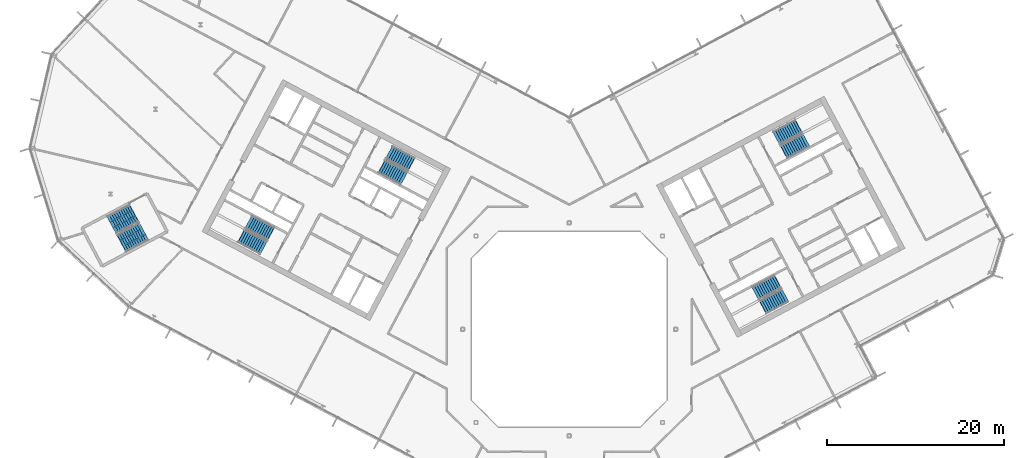
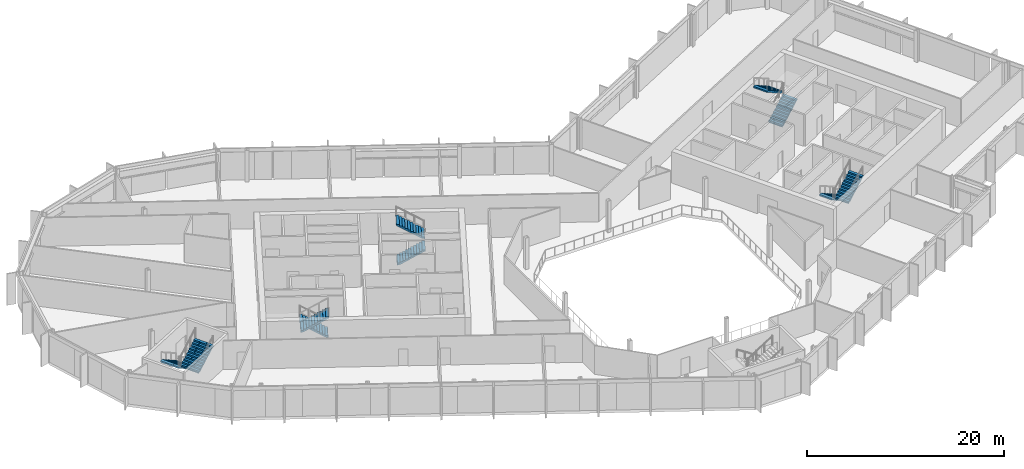
# One storey, part 18 of 27: 10 stair flights, 5 elements without a shape of their own.
"""IFC4 building model written with IfcOpenShell, lengths in metres."""

from ifc_helpers import new_model, si_unit, direction, frame, origin, place, context, subcontext, project, spatial, polyline, outline, extrude, material, type_object, element, aggregate, save


model = new_model("IFC4")

# Units and contexts
model_context = context("Model", 3, precision=1e-05, world=origin(), true_north=direction((0.0, 1.0)))
body_context = subcontext(model_context, "Body", "Model", "MODEL_VIEW")
ifc_project = project(units=[si_unit("LENGTHUNIT", "METRE"), si_unit("AREAUNIT", "SQUARE_METRE"), si_unit("VOLUMEUNIT", "CUBIC_METRE"), si_unit("PLANEANGLEUNIT", "RADIAN"), si_unit("MASSUNIT", "GRAM", prefix="KILO")], contexts=[model_context])

# Site, building, storey
site_placement = place(None, origin())
site = spatial("IfcSite", under=ifc_project, at=site_placement, CompositionType="ELEMENT")
building_placement = place(site_placement, origin())
building = spatial("IfcBuilding", under=site, at=building_placement, Name="Cormorant Relay Tower", CompositionType="ELEMENT")
storey_placement = place(building_placement, frame((0.0, 0.0, 209.10009765625)))
storey = spatial("IfcBuildingStorey", under=building, at=storey_placement, Name="L45", CompositionType="ELEMENT", Elevation=209.10009765625)

# Stair, stair flights
ifc_material_1 = material(Name="Concrete 40 MPa", Category="concrete")
stair_type_1 = type_object("IfcStairType", Name="Exit stair 1500", PredefinedType="HALF_TURN_STAIR", material=ifc_material_1)
stair_1_placement = place(storey_placement, origin())
stair_1 = element("IfcStair", 1, at=stair_1_placement, inside=storey, type_object=stair_type_1, Name="L45 Stair", PredefinedType="HALF_TURN_STAIR")
ifc_material_2 = material(Name="Concrete 40 MPa", Category="concrete")
stair_flight_type_1 = type_object("IfcStairFlightType", Name="Exit stair flight 1650", PredefinedType="STRAIGHT", material=ifc_material_2)
stair_flight_1_placement = place(storey_placement, frame((-21.114501953125, 18.33349609375, 0.0), z_axis=(0.0, 0.0, 1.0), x_axis=(0.882947592859, -0.469471562786, 0.0)))
stair_flight_1 = element("IfcStairFlight", 2, at=stair_flight_1_placement, type_object=stair_flight_type_1, Name="A1 flight 1", NumberOfRisers=11, NumberOfTreads=10, PredefinedType="STRAIGHT", RiserHeight=0.177272727, TreadLength=0.28, context=body_context, shape_type="SweptSolid", body=[
    extrude(outline(polyline([(-0.050048828125, -0.080078125), (-0.050048828125, 0.0), (0.0, 0.0), (0.0, 0.17724609375), (0.280029296875, 0.17724609375), (0.280029296875, 0.3544921875), (0.56005859375, 0.3544921875), (0.56005859375, 0.53173828125), (0.840087890625, 0.53173828125), (0.840087890625, 0.708984375), (1.1201171875, 0.708984375), (1.1201171875, 0.886474609375), (1.39990234375, 0.886474609375), (1.39990234375, 1.063720703125), (1.679931640625, 1.063720703125), (1.679931640625, 1.240966796875), (1.9599609375, 1.240966796875), (1.9599609375, 1.418212890625), (2.239990234375, 1.418212890625), (2.239990234375, 1.595458984375), (2.52001953125, 1.595458984375), (2.52001953125, 1.772705078125), (2.800048828125, 1.772705078125), (2.85009765625, 1.772705078125), (2.85009765625, 1.59521484375), (2.800048828125, 1.59521484375), (0.2802734375, 0.0), (-0.050048828125, -0.080078125)])), frame((0.0, 0.824951171875, 0.0), z_axis=(0.0, -1.0, 0.0), x_axis=(1.0, 0.0, 0.0)), (0.0, 0.0, 1.0), 1.64990234375),
])
stair_flight_2_placement = place(storey_placement, frame((-17.797119140625, 18.6083984375, 1.949951171875), z_axis=(0.0, 0.0, 1.0), x_axis=(-0.882947592859, 0.469471562786, 0.0)))
stair_flight_2 = element("IfcStairFlight", 3, at=stair_flight_2_placement, type_object=stair_flight_type_1, Name="A1 flight 2", NumberOfRisers=11, NumberOfTreads=10, PredefinedType="STRAIGHT", RiserHeight=0.177272727, TreadLength=0.28, context=body_context, shape_type="SweptSolid", body=[
    extrude(outline(polyline([(-0.050048828125, -0.080078125), (-0.050048828125, 0.0), (0.0, 0.0), (0.0, 0.17724609375), (0.280029296875, 0.17724609375), (0.280029296875, 0.3544921875), (0.56005859375, 0.3544921875), (0.56005859375, 0.53173828125), (0.840087890625, 0.53173828125), (0.840087890625, 0.708984375), (1.1201171875, 0.708984375), (1.1201171875, 0.886474609375), (1.39990234375, 0.886474609375), (1.39990234375, 1.063720703125), (1.679931640625, 1.063720703125), (1.679931640625, 1.240966796875), (1.9599609375, 1.240966796875), (1.9599609375, 1.418212890625), (2.239990234375, 1.418212890625), (2.239990234375, 1.595458984375), (2.52001953125, 1.595458984375), (2.52001953125, 1.772705078125), (2.800048828125, 1.772705078125), (2.85009765625, 1.772705078125), (2.85009765625, 1.59521484375), (2.800048828125, 1.59521484375), (0.2802734375, 0.0), (-0.050048828125, -0.080078125)])), frame((0.0, 0.824951171875, 0.0), z_axis=(0.0, -1.0, 0.0), x_axis=(1.0, 0.0, 0.0)), (0.0, 0.0, 1.0), 1.64990234375),
])
aggregate(stair_1, [stair_flight_1, stair_flight_2])

stair_2_placement = place(storey_placement, origin())
stair_2 = element("IfcStair", 4, at=stair_2_placement, inside=storey, type_object=stair_type_1, Name="L45 Stair", PredefinedType="HALF_TURN_STAIR")
stair_flight_3_placement = place(storey_placement, frame((-33.62841796875, 10.773681640625, 0.0), z_axis=(0.0, 0.0, 1.0), x_axis=(-0.882947592859, 0.469471562786, 0.0)))
stair_flight_3 = element("IfcStairFlight", 5, at=stair_flight_3_placement, type_object=stair_flight_type_1, Name="A2 flight 1", NumberOfRisers=11, NumberOfTreads=10, PredefinedType="STRAIGHT", RiserHeight=0.177272727, TreadLength=0.28, context=body_context, shape_type="SweptSolid", body=[
    extrude(outline(polyline([(-0.050048828125, -0.080078125), (-0.050048828125, 0.0), (0.0, 0.0), (0.0, 0.17724609375), (0.280029296875, 0.17724609375), (0.280029296875, 0.3544921875), (0.56005859375, 0.3544921875), (0.56005859375, 0.53173828125), (0.840087890625, 0.53173828125), (0.840087890625, 0.708984375), (1.1201171875, 0.708984375), (1.1201171875, 0.886474609375), (1.39990234375, 0.886474609375), (1.39990234375, 1.063720703125), (1.679931640625, 1.063720703125), (1.679931640625, 1.240966796875), (1.9599609375, 1.240966796875), (1.9599609375, 1.418212890625), (2.239990234375, 1.418212890625), (2.239990234375, 1.595458984375), (2.52001953125, 1.595458984375), (2.52001953125, 1.772705078125), (2.800048828125, 1.772705078125), (2.85009765625, 1.772705078125), (2.85009765625, 1.59521484375), (2.800048828125, 1.59521484375), (0.2802734375, 0.0), (-0.050048828125, -0.080078125)])), frame((0.0, 0.824951171875, 0.0), z_axis=(0.0, -1.0, 0.0), x_axis=(1.0, 0.0, 0.0)), (0.0, 0.0, 1.0), 1.64990234375),
])
stair_flight_4_placement = place(storey_placement, frame((-36.945556640625, 10.498779296875, 1.949951171875), z_axis=(0.0, 0.0, 1.0), x_axis=(0.882947592859, -0.469471562786, 0.0)))
stair_flight_4 = element("IfcStairFlight", 6, at=stair_flight_4_placement, type_object=stair_flight_type_1, Name="A2 flight 2", NumberOfRisers=11, NumberOfTreads=10, PredefinedType="STRAIGHT", RiserHeight=0.177272727, TreadLength=0.28, context=body_context, shape_type="SweptSolid", body=[
    extrude(outline(polyline([(-0.050048828125, -0.080078125), (-0.050048828125, 0.0), (0.0, 0.0), (0.0, 0.17724609375), (0.280029296875, 0.17724609375), (0.280029296875, 0.3544921875), (0.56005859375, 0.3544921875), (0.56005859375, 0.53173828125), (0.840087890625, 0.53173828125), (0.840087890625, 0.708984375), (1.1201171875, 0.708984375), (1.1201171875, 0.886474609375), (1.39990234375, 0.886474609375), (1.39990234375, 1.063720703125), (1.679931640625, 1.063720703125), (1.679931640625, 1.240966796875), (1.9599609375, 1.240966796875), (1.9599609375, 1.418212890625), (2.239990234375, 1.418212890625), (2.239990234375, 1.595458984375), (2.52001953125, 1.595458984375), (2.52001953125, 1.772705078125), (2.800048828125, 1.772705078125), (2.85009765625, 1.772705078125), (2.85009765625, 1.59521484375), (2.800048828125, 1.59521484375), (0.2802734375, 0.0), (-0.050048828125, -0.080078125)])), frame((0.0, 0.824951171875, 0.0), z_axis=(0.0, -1.0, 0.0), x_axis=(1.0, 0.0, 0.0)), (0.0, 0.0, 1.0), 1.64990234375),
])
aggregate(stair_2, [stair_flight_3, stair_flight_4])

stair_3_placement = place(storey_placement, origin())
stair_3 = element("IfcStair", 7, at=stair_3_placement, inside=storey, type_object=stair_type_1, Name="L45 Stair", PredefinedType="HALF_TURN_STAIR")
stair_flight_5_placement = place(storey_placement, frame((23.474365234375, 5.374755859375, 0.0), z_axis=(0.0, 0.0, 1.0), x_axis=(-0.882947592859, -0.469471562786, 0.0)))
stair_flight_5 = element("IfcStairFlight", 8, at=stair_flight_5_placement, type_object=stair_flight_type_1, Name="B1 flight 1", NumberOfRisers=11, NumberOfTreads=10, PredefinedType="STRAIGHT", RiserHeight=0.177272727, TreadLength=0.28, context=body_context, shape_type="SweptSolid", body=[
    extrude(outline(polyline([(-0.050048828125, -0.080078125), (-0.050048828125, 0.0), (0.0, 0.0), (0.0, 0.17724609375), (0.280029296875, 0.17724609375), (0.280029296875, 0.3544921875), (0.56005859375, 0.3544921875), (0.56005859375, 0.53173828125), (0.840087890625, 0.53173828125), (0.840087890625, 0.708984375), (1.1201171875, 0.708984375), (1.1201171875, 0.886474609375), (1.39990234375, 0.886474609375), (1.39990234375, 1.063720703125), (1.679931640625, 1.063720703125), (1.679931640625, 1.240966796875), (1.9599609375, 1.240966796875), (1.9599609375, 1.418212890625), (2.239990234375, 1.418212890625), (2.239990234375, 1.595458984375), (2.52001953125, 1.595458984375), (2.52001953125, 1.772705078125), (2.800048828125, 1.772705078125), (2.85009765625, 1.772705078125), (2.85009765625, 1.59521484375), (2.800048828125, 1.59521484375), (0.2802734375, 0.0), (-0.050048828125, -0.080078125)])), frame((0.0, 0.824951171875, 0.0), z_axis=(0.0, -1.0, 0.0), x_axis=(1.0, 0.0, 0.0)), (0.0, 0.0, 1.0), 1.64990234375),
])
stair_flight_6_placement = place(storey_placement, frame((21.84716796875, 2.470947265625, 1.949951171875), z_axis=(0.0, 0.0, 1.0), x_axis=(0.882947592859, 0.469471562786, 0.0)))
stair_flight_6 = element("IfcStairFlight", 9, at=stair_flight_6_placement, type_object=stair_flight_type_1, Name="B1 flight 2", NumberOfRisers=11, NumberOfTreads=10, PredefinedType="STRAIGHT", RiserHeight=0.177272727, TreadLength=0.28, context=body_context, shape_type="SweptSolid", body=[
    extrude(outline(polyline([(-0.050048828125, -0.080078125), (-0.050048828125, 0.0), (0.0, 0.0), (0.0, 0.17724609375), (0.280029296875, 0.17724609375), (0.280029296875, 0.3544921875), (0.56005859375, 0.3544921875), (0.56005859375, 0.53173828125), (0.840087890625, 0.53173828125), (0.840087890625, 0.708984375), (1.1201171875, 0.708984375), (1.1201171875, 0.886474609375), (1.39990234375, 0.886474609375), (1.39990234375, 1.063720703125), (1.679931640625, 1.063720703125), (1.679931640625, 1.240966796875), (1.9599609375, 1.240966796875), (1.9599609375, 1.418212890625), (2.239990234375, 1.418212890625), (2.239990234375, 1.595458984375), (2.52001953125, 1.595458984375), (2.52001953125, 1.772705078125), (2.800048828125, 1.772705078125), (2.85009765625, 1.772705078125), (2.85009765625, 1.59521484375), (2.800048828125, 1.59521484375), (0.2802734375, 0.0), (-0.050048828125, -0.080078125)])), frame((0.0, 0.824951171875, 0.0), z_axis=(0.0, -1.0, 0.0), x_axis=(1.0, 0.0, 0.0)), (0.0, 0.0, 1.0), 1.64990234375),
])
aggregate(stair_3, [stair_flight_5, stair_flight_6])

stair_4_placement = place(storey_placement, origin())
stair_4 = element("IfcStair", 10, at=stair_4_placement, inside=storey, type_object=stair_type_1, Name="L45 Stair", PredefinedType="HALF_TURN_STAIR")
stair_flight_7_placement = place(storey_placement, frame((24.20458984375, 19.976806640625, 0.0), z_axis=(0.0, 0.0, 1.0), x_axis=(0.882947592859, 0.469471562786, 0.0)))
stair_flight_7 = element("IfcStairFlight", 11, at=stair_flight_7_placement, type_object=stair_flight_type_1, Name="B2 flight 1", NumberOfRisers=11, NumberOfTreads=10, PredefinedType="STRAIGHT", RiserHeight=0.177272727, TreadLength=0.28, context=body_context, shape_type="SweptSolid", body=[
    extrude(outline(polyline([(-0.050048828125, -0.080078125), (-0.050048828125, 0.0), (0.0, 0.0), (0.0, 0.17724609375), (0.280029296875, 0.17724609375), (0.280029296875, 0.3544921875), (0.56005859375, 0.3544921875), (0.56005859375, 0.53173828125), (0.840087890625, 0.53173828125), (0.840087890625, 0.708984375), (1.1201171875, 0.708984375), (1.1201171875, 0.886474609375), (1.39990234375, 0.886474609375), (1.39990234375, 1.063720703125), (1.679931640625, 1.063720703125), (1.679931640625, 1.240966796875), (1.9599609375, 1.240966796875), (1.9599609375, 1.418212890625), (2.239990234375, 1.418212890625), (2.239990234375, 1.595458984375), (2.52001953125, 1.595458984375), (2.52001953125, 1.772705078125), (2.800048828125, 1.772705078125), (2.85009765625, 1.772705078125), (2.85009765625, 1.59521484375), (2.800048828125, 1.59521484375), (0.2802734375, 0.0), (-0.050048828125, -0.080078125)])), frame((0.0, 0.824951171875, 0.0), z_axis=(0.0, -1.0, 0.0), x_axis=(1.0, 0.0, 0.0)), (0.0, 0.0, 1.0), 1.64990234375),
])
stair_flight_8_placement = place(storey_placement, frame((25.831787109375, 22.880615234375, 1.949951171875), z_axis=(0.0, 0.0, 1.0), x_axis=(-0.882947592859, -0.469471562786, 0.0)))
stair_flight_8 = element("IfcStairFlight", 12, at=stair_flight_8_placement, type_object=stair_flight_type_1, Name="B2 flight 2", NumberOfRisers=11, NumberOfTreads=10, PredefinedType="STRAIGHT", RiserHeight=0.177272727, TreadLength=0.28, context=body_context, shape_type="SweptSolid", body=[
    extrude(outline(polyline([(-0.050048828125, -0.080078125), (-0.050048828125, 0.0), (0.0, 0.0), (0.0, 0.17724609375), (0.280029296875, 0.17724609375), (0.280029296875, 0.3544921875), (0.56005859375, 0.3544921875), (0.56005859375, 0.53173828125), (0.840087890625, 0.53173828125), (0.840087890625, 0.708984375), (1.1201171875, 0.708984375), (1.1201171875, 0.886474609375), (1.39990234375, 0.886474609375), (1.39990234375, 1.063720703125), (1.679931640625, 1.063720703125), (1.679931640625, 1.240966796875), (1.9599609375, 1.240966796875), (1.9599609375, 1.418212890625), (2.239990234375, 1.418212890625), (2.239990234375, 1.595458984375), (2.52001953125, 1.595458984375), (2.52001953125, 1.772705078125), (2.800048828125, 1.772705078125), (2.85009765625, 1.772705078125), (2.85009765625, 1.59521484375), (2.800048828125, 1.59521484375), (0.2802734375, 0.0), (-0.050048828125, -0.080078125)])), frame((0.0, 0.824951171875, 0.0), z_axis=(0.0, -1.0, 0.0), x_axis=(1.0, 0.0, 0.0)), (0.0, 0.0, 1.0), 1.64990234375),
])
aggregate(stair_4, [stair_flight_7, stair_flight_8])

ifc_material_3 = material(Name="Concrete 40 MPa", Category="concrete")
stair_type_2 = type_object("IfcStairType", Name="Remote exit stair 2200", PredefinedType="HALF_TURN_STAIR", material=ifc_material_3)
stair_5_placement = place(storey_placement, origin())
stair_5 = element("IfcStair", 13, at=stair_5_placement, inside=storey, type_object=stair_type_2, Name="L45 Stair", PredefinedType="HALF_TURN_STAIR")
ifc_material_4 = material(Name="Concrete 40 MPa", Category="concrete")
stair_flight_type_2 = type_object("IfcStairFlightType", Name="Remote exit stair flight 2200", PredefinedType="STRAIGHT", material=ifc_material_4)
stair_flight_9_placement = place(storey_placement, frame((-49.062255859375, 13.08251953125, 0.0), z_axis=(0.0, 0.0, 1.0), x_axis=(-0.882947502727, -0.4694717323, 0.0)))
stair_flight_9 = element("IfcStairFlight", 14, at=stair_flight_9_placement, type_object=stair_flight_type_2, Name="RP1 flight 1", NumberOfRisers=11, NumberOfTreads=10, PredefinedType="STRAIGHT", RiserHeight=0.177272727, TreadLength=0.28, context=body_context, shape_type="SweptSolid", body=[
    extrude(outline(polyline([(-0.050048828125, -0.080078125), (-0.050048828125, 0.0), (0.0, 0.0), (0.0, 0.17724609375), (0.280029296875, 0.17724609375), (0.280029296875, 0.3544921875), (0.56005859375, 0.3544921875), (0.56005859375, 0.53173828125), (0.840087890625, 0.53173828125), (0.840087890625, 0.708984375), (1.1201171875, 0.708984375), (1.1201171875, 0.886474609375), (1.39990234375, 0.886474609375), (1.39990234375, 1.063720703125), (1.679931640625, 1.063720703125), (1.679931640625, 1.240966796875), (1.9599609375, 1.240966796875), (1.9599609375, 1.418212890625), (2.239990234375, 1.418212890625), (2.239990234375, 1.595458984375), (2.52001953125, 1.595458984375), (2.52001953125, 1.772705078125), (2.800048828125, 1.772705078125), (2.85009765625, 1.772705078125), (2.85009765625, 1.59521484375), (2.800048828125, 1.59521484375), (0.2802734375, 0.0), (-0.050048828125, -0.080078125)])), frame((0.0, 1.10009765625, 0.0), z_axis=(0.0, -1.0, 0.0), x_axis=(1.0, 0.0, 0.0)), (0.0, 0.0, 1.0), 0.719970703125),
    extrude(outline(polyline([(-0.050048828125, -0.080078125), (-0.050048828125, 0.0), (0.0, 0.0), (0.0, 0.17724609375), (0.280029296875, 0.17724609375), (0.280029296875, 0.3544921875), (0.56005859375, 0.3544921875), (0.56005859375, 0.53173828125), (0.840087890625, 0.53173828125), (0.840087890625, 0.708984375), (1.1201171875, 0.708984375), (1.1201171875, 0.886474609375), (1.39990234375, 0.886474609375), (1.39990234375, 1.063720703125), (1.679931640625, 1.063720703125), (1.679931640625, 1.240966796875), (1.9599609375, 1.240966796875), (1.9599609375, 1.418212890625), (2.239990234375, 1.418212890625), (2.239990234375, 1.595458984375), (2.52001953125, 1.595458984375), (2.52001953125, 1.772705078125), (2.800048828125, 1.772705078125), (2.85009765625, 1.772705078125), (2.85009765625, 1.59521484375), (2.800048828125, 1.59521484375), (0.2802734375, 0.0), (-0.050048828125, -0.080078125)])), frame((0.0, 0.360107421875, 0.0), z_axis=(0.0, -1.0, 0.0), x_axis=(1.0, 0.0, 0.0)), (0.0, 0.0, 1.0), 0.719970703125),
    extrude(outline(polyline([(-0.050048828125, -0.080078125), (-0.050048828125, 0.0), (0.0, 0.0), (0.0, 0.17724609375), (0.280029296875, 0.17724609375), (0.280029296875, 0.3544921875), (0.56005859375, 0.3544921875), (0.56005859375, 0.53173828125), (0.840087890625, 0.53173828125), (0.840087890625, 0.708984375), (1.1201171875, 0.708984375), (1.1201171875, 0.886474609375), (1.39990234375, 0.886474609375), (1.39990234375, 1.063720703125), (1.679931640625, 1.063720703125), (1.679931640625, 1.240966796875), (1.9599609375, 1.240966796875), (1.9599609375, 1.418212890625), (2.239990234375, 1.418212890625), (2.239990234375, 1.595458984375), (2.52001953125, 1.595458984375), (2.52001953125, 1.772705078125), (2.800048828125, 1.772705078125), (2.85009765625, 1.772705078125), (2.85009765625, 1.59521484375), (2.800048828125, 1.59521484375), (0.2802734375, 0.0), (-0.050048828125, -0.080078125)])), frame((0.0, -0.3798828125, 0.0), z_axis=(0.0, -1.0, 0.0), x_axis=(1.0, 0.0, 0.0)), (0.0, 0.0, 1.0), 0.719970703125),
])
stair_flight_10_placement = place(storey_placement, frame((-50.431396484375, 9.693115234375, 1.949951171875), z_axis=(0.0, 0.0, 1.0), x_axis=(0.882947502727, 0.4694717323, 0.0)))
stair_flight_10 = element("IfcStairFlight", 15, at=stair_flight_10_placement, type_object=stair_flight_type_2, Name="RP1 flight 2", NumberOfRisers=11, NumberOfTreads=10, PredefinedType="STRAIGHT", RiserHeight=0.177272727, TreadLength=0.28, context=body_context, shape_type="SweptSolid", body=[
    extrude(outline(polyline([(-0.050048828125, -0.080078125), (-0.050048828125, 0.0), (0.0, 0.0), (0.0, 0.17724609375), (0.280029296875, 0.17724609375), (0.280029296875, 0.3544921875), (0.56005859375, 0.3544921875), (0.56005859375, 0.53173828125), (0.840087890625, 0.53173828125), (0.840087890625, 0.708984375), (1.1201171875, 0.708984375), (1.1201171875, 0.886474609375), (1.39990234375, 0.886474609375), (1.39990234375, 1.063720703125), (1.679931640625, 1.063720703125), (1.679931640625, 1.240966796875), (1.9599609375, 1.240966796875), (1.9599609375, 1.418212890625), (2.239990234375, 1.418212890625), (2.239990234375, 1.595458984375), (2.52001953125, 1.595458984375), (2.52001953125, 1.772705078125), (2.800048828125, 1.772705078125), (2.85009765625, 1.772705078125), (2.85009765625, 1.59521484375), (2.800048828125, 1.59521484375), (0.2802734375, 0.0), (-0.050048828125, -0.080078125)])), frame((0.0, 1.10009765625, 0.0), z_axis=(0.0, -1.0, 0.0), x_axis=(1.0, 0.0, 0.0)), (0.0, 0.0, 1.0), 0.719970703125),
    extrude(outline(polyline([(-0.050048828125, -0.080078125), (-0.050048828125, 0.0), (0.0, 0.0), (0.0, 0.17724609375), (0.280029296875, 0.17724609375), (0.280029296875, 0.3544921875), (0.56005859375, 0.3544921875), (0.56005859375, 0.53173828125), (0.840087890625, 0.53173828125), (0.840087890625, 0.708984375), (1.1201171875, 0.708984375), (1.1201171875, 0.886474609375), (1.39990234375, 0.886474609375), (1.39990234375, 1.063720703125), (1.679931640625, 1.063720703125), (1.679931640625, 1.240966796875), (1.9599609375, 1.240966796875), (1.9599609375, 1.418212890625), (2.239990234375, 1.418212890625), (2.239990234375, 1.595458984375), (2.52001953125, 1.595458984375), (2.52001953125, 1.772705078125), (2.800048828125, 1.772705078125), (2.85009765625, 1.772705078125), (2.85009765625, 1.59521484375), (2.800048828125, 1.59521484375), (0.2802734375, 0.0), (-0.050048828125, -0.080078125)])), frame((0.0, 0.360107421875, 0.0), z_axis=(0.0, -1.0, 0.0), x_axis=(1.0, 0.0, 0.0)), (0.0, 0.0, 1.0), 0.719970703125),
    extrude(outline(polyline([(-0.050048828125, -0.080078125), (-0.050048828125, 0.0), (0.0, 0.0), (0.0, 0.17724609375), (0.280029296875, 0.17724609375), (0.280029296875, 0.3544921875), (0.56005859375, 0.3544921875), (0.56005859375, 0.53173828125), (0.840087890625, 0.53173828125), (0.840087890625, 0.708984375), (1.1201171875, 0.708984375), (1.1201171875, 0.886474609375), (1.39990234375, 0.886474609375), (1.39990234375, 1.063720703125), (1.679931640625, 1.063720703125), (1.679931640625, 1.240966796875), (1.9599609375, 1.240966796875), (1.9599609375, 1.418212890625), (2.239990234375, 1.418212890625), (2.239990234375, 1.595458984375), (2.52001953125, 1.595458984375), (2.52001953125, 1.772705078125), (2.800048828125, 1.772705078125), (2.85009765625, 1.772705078125), (2.85009765625, 1.59521484375), (2.800048828125, 1.59521484375), (0.2802734375, 0.0), (-0.050048828125, -0.080078125)])), frame((0.0, -0.3798828125, 0.0), z_axis=(0.0, -1.0, 0.0), x_axis=(1.0, 0.0, 0.0)), (0.0, 0.0, 1.0), 0.719970703125),
])
aggregate(stair_5, [stair_flight_9, stair_flight_10])

save(model, "model.ifc")
